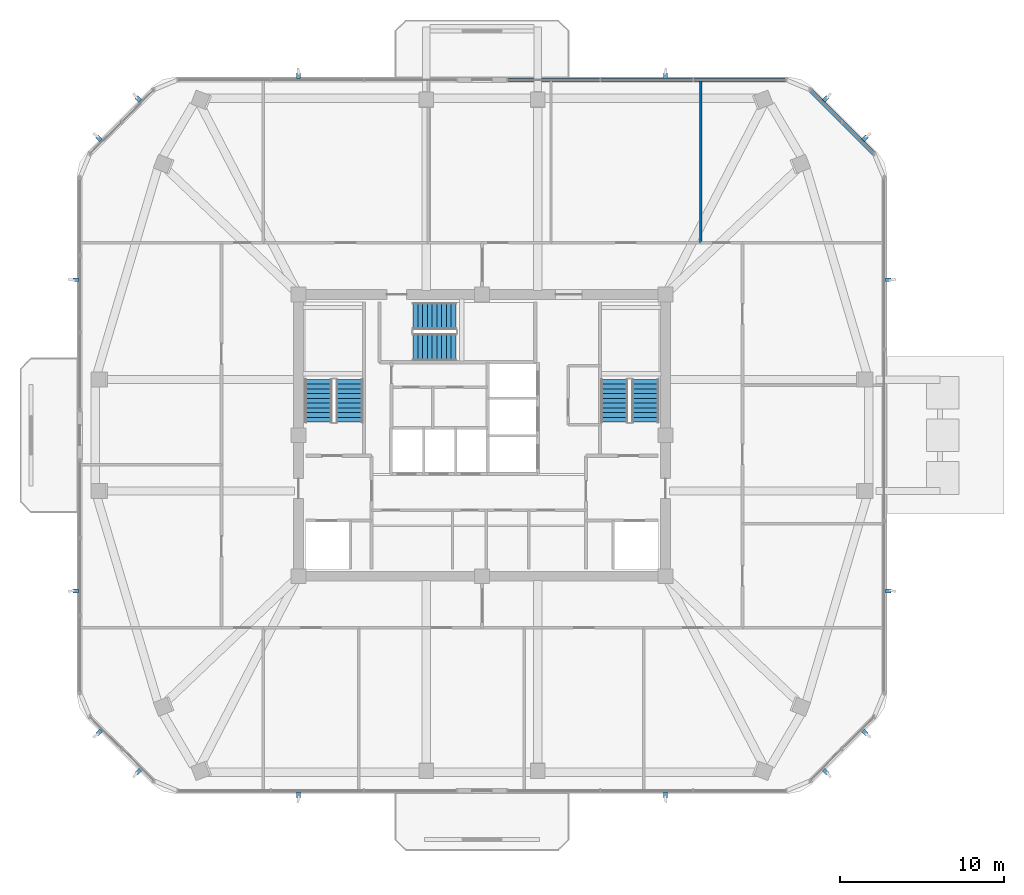
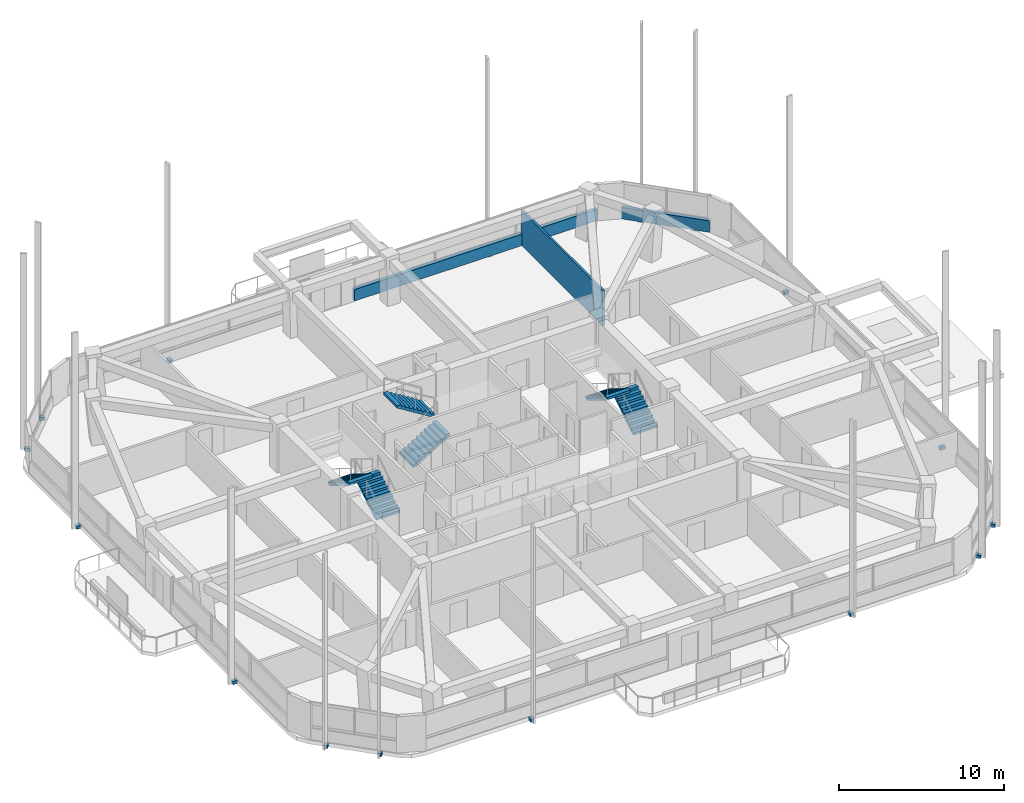
# One storey, part 10 of 14: 16 discrete accessories, 6 stair flights, 3 walls, 3 elements without a shape of their own.
"""IFC4 building model written with IfcOpenShell, lengths in metres."""

import ifcopenshell
import ifcopenshell.guid

model = None  # the IFC model being written
_history = None  # IfcOwnerHistory: only IFC2X3 demands one
_inside = {}  # id of a spatial element -> (the spatial element, [elements in it])
_under = {}  # id of a project, library or spatial element -> (it, [spatial elements below it])
_declared = {}  # id of a project -> (the project, [libraries it declares])
_typed = {}  # id of a type object -> (the type object, [elements of that type])
_made_of = {}  # id of a material, layer set ... -> (it, [elements and type objects made of it])


def new_model(schema):
    """Start an empty IFC model of exactly this schema.

    Asked for "IFC4X3", IfcOpenShell would pick the latest addendum, in which some entities
    have other attributes; the version numbers below select the first issue.
    IFC2X3 requires an IfcOwnerHistory on every rooted entity: one is made here for all.
    """
    global model, _history
    if schema == "IFC4X3":
        model = ifcopenshell.file(schema_version=(4, 3, 0, 0))
    else:
        model = ifcopenshell.file(schema=schema)
    _inside.clear()
    _under.clear()
    _declared.clear()
    _typed.clear()
    _made_of.clear()
    _history = None
    if model.schema == "IFC2X3":
        org = make("IfcOrganization", Name="unknown")
        user = make(
            "IfcPersonAndOrganization",
            ThePerson=make("IfcPerson", FamilyName="unknown"),
            TheOrganization=org,
        )
        app = make(
            "IfcApplication",
            ApplicationDeveloper=org,
            Version="unknown",
            ApplicationFullName="unknown",
            ApplicationIdentifier="unknown",
        )
        _history = make(
            "IfcOwnerHistory",
            OwningUser=user,
            OwningApplication=app,
            ChangeAction="ADDED",
            CreationDate=0,
        )
    return model


def make(cls, **values):
    """One entity of the class cls with the attributes given. An attribute that is None is left unset."""
    return model.create_entity(
        cls, **{name: value for name, value in values.items() if value is not None}
    )


def rooted(cls, **values):
    """An entity with a GlobalId (a new one), such as an element, a storey or a relation."""
    return make(cls, GlobalId=ifcopenshell.guid.new(), OwnerHistory=_history, **values)


def si_unit(unit_type, name, prefix=None):
    """IfcSIUnit, for example si_unit("LENGTHUNIT", "METRE", prefix="MILLI")."""
    return make("IfcSIUnit", UnitType=unit_type, Prefix=prefix, Name=name)


def derived_unit(unit_type, elements):
    """IfcDerivedUnit: a product of units, each with its exponent."""
    return make(
        "IfcDerivedUnit",
        Elements=[
            make("IfcDerivedUnitElement", Unit=unit, Exponent=power)
            for unit, power in elements
        ],
        UnitType=unit_type,
    )


def assignment(units):
    """IfcUnitAssignment: the units of a project."""
    return None if units is None else make("IfcUnitAssignment", Units=units)


def point(xyz):
    """IfcCartesianPoint."""
    return None if xyz is None else make("IfcCartesianPoint", Coordinates=xyz)


def direction(xyz):
    """IfcDirection."""
    return None if xyz is None else make("IfcDirection", DirectionRatios=xyz)


def frame(location, z_axis=None, x_axis=None):
    """IfcAxis2Placement3D, a coordinate frame: its origin and axes. An axis left out is left unset."""
    return make(
        "IfcAxis2Placement3D",
        Location=point(location),
        Axis=direction(z_axis),
        RefDirection=direction(x_axis),
    )


def frame_2d(location, x_axis=None):
    """IfcAxis2Placement2D, a coordinate frame in the plane: its origin and x axis."""
    return make(
        "IfcAxis2Placement2D", Location=point(location), RefDirection=direction(x_axis)
    )


def origin():
    """The frame at (0, 0, 0) with its axes left unset."""
    return frame((0.0, 0.0, 0.0))


def origin_2d():
    """The frame at (0, 0) in the plane with its x axis left unset."""
    return frame_2d((0.0, 0.0))


def place(relative_to, where):
    """IfcLocalPlacement: puts the frame where relative to a parent placement (None: the world)."""
    return make(
        "IfcLocalPlacement", PlacementRelTo=relative_to, RelativePlacement=where
    )


def context(
    kind, dimensions, precision=None, world=None, true_north=None, identifier=None
):
    """IfcGeometricRepresentationContext, for example the 3D "Model" context."""
    return make(
        "IfcGeometricRepresentationContext",
        ContextIdentifier=identifier,
        ContextType=kind,
        CoordinateSpaceDimension=dimensions,
        Precision=precision,
        WorldCoordinateSystem=world,
        TrueNorth=true_north,
    )


def subcontext(parent, identifier, kind, view, scale=None):
    """IfcGeometricRepresentationSubContext, for example "Body" below "Model"."""
    return make(
        "IfcGeometricRepresentationSubContext",
        ContextIdentifier=identifier,
        ContextType=kind,
        ParentContext=parent,
        TargetScale=scale,
        TargetView=view,
    )


def project(units=None, contexts=None):
    """IfcProject with its units and contexts."""
    return rooted(
        "IfcProject",
        Name="project",
        RepresentationContexts=contexts,
        UnitsInContext=assignment(units),
    )


def spatial(cls, under=None, at=None, **own):
    """A site, building, storey or space (cls), placed at a placement, below another one or the project."""
    s = rooted(cls, ObjectPlacement=at, **own)
    if under is not None:
        _under.setdefault(under.id(), (under, []))[1].append(s)
    return s


def polyline(points):
    """IfcPolyline through the points."""
    return make("IfcPolyline", Points=[point(p) for p in points])


def profile(cls, at=None, kind="AREA", **sizes):
    """A parametric profile (cls). Its sizes go by their IFC names, for example OverallWidth=200.0."""
    return make(cls, ProfileType=kind, Position=at, **sizes)


def rectangle(**sizes):
    """IfcRectangleProfileDef."""
    return profile("IfcRectangleProfileDef", **sizes)


def outline(outer, holes=None, kind="AREA"):
    """IfcArbitraryClosedProfileDef: a profile drawn as a closed curve; with holes, ...WithVoids."""
    if holes is None:
        return make("IfcArbitraryClosedProfileDef", ProfileType=kind, OuterCurve=outer)
    return make(
        "IfcArbitraryProfileDefWithVoids",
        ProfileType=kind,
        OuterCurve=outer,
        InnerCurves=holes,
    )


def extrude(swept, where, along, depth):
    """IfcExtrudedAreaSolid: the profile swept, set in the frame where, extruded along a direction by depth."""
    return make(
        "IfcExtrudedAreaSolid",
        SweptArea=swept,
        Position=where,
        ExtrudedDirection=direction(along),
        Depth=depth,
    )


def shape(context_of_items, identifier, shape_type, items):
    """IfcShapeRepresentation: the items that make up one representation, for example the "Body"."""
    return make(
        "IfcShapeRepresentation",
        ContextOfItems=context_of_items,
        RepresentationIdentifier=identifier,
        RepresentationType=shape_type,
        Items=items,
    )


def material(Name=None, Category=None):
    """IfcMaterial."""
    return make("IfcMaterial", Name=Name, Category=Category)


def layer(
    of_material, thickness, ventilated=None, Name=None, Category=None, Priority=None
):
    """IfcMaterialLayer: one layer of a wall or slab, of a material (None: an air gap)."""
    return make(
        "IfcMaterialLayer",
        Material=of_material,
        LayerThickness=thickness,
        IsVentilated=ventilated,
        Name=Name,
        Category=Category,
        Priority=Priority,
    )


def layer_set(layers, Name=None):
    """IfcMaterialLayerSet."""
    return make("IfcMaterialLayerSet", MaterialLayers=layers, LayerSetName=Name)


def made_of(thing, what):
    """Note that an element or type object is made of a material, layer set ...; save() writes the relation."""
    if what is not None:
        _made_of.setdefault(what.id(), (what, []))[1].append(thing)
    return thing


def type_object(cls, material=None, **own):
    """A type object (cls), such as IfcWallType, which elements share."""
    return made_of(rooted(cls, **own), material)


def element(
    cls,
    number,
    at=None,
    inside=None,
    cuts=None,
    type_object=None,
    material=None,
    context=None,
    identifier="Body",
    shape_type=None,
    held_by="IfcProductDefinitionShape",
    body=None,
    shapes=None,
    **own,
):
    """One element of the class cls, such as IfcWall. Its Tag is "e" and its number.

    at: its placement. inside: the storey or other place that contains it. cuts: it is an
    opening in that element (IfcRelVoidsElement). A single representation is given by context,
    identifier, shape_type and body (its items); several are given by shapes. held_by: the class
    of the entity that holds the representations. save() writes the other relations.
    """
    e = rooted(cls, Tag="e%d" % number, ObjectPlacement=at, **own)
    if body is not None:
        shapes = [shape(context, identifier, shape_type, body)]
    if shapes is not None:
        e.Representation = make(held_by, Representations=shapes)
    if inside is not None:
        _inside.setdefault(inside.id(), (inside, []))[1].append(e)
    if cuts is not None:
        rooted(
            "IfcRelVoidsElement", RelatingBuildingElement=cuts, RelatedOpeningElement=e
        )
    if type_object is not None:
        _typed.setdefault(type_object.id(), (type_object, []))[1].append(e)
    return made_of(e, material)


def aggregate(whole, parts):
    """IfcRelAggregates: a whole, such as a stair, and the parts it consists of."""
    return rooted("IfcRelAggregates", RelatingObject=whole, RelatedObjects=parts)


def save(model, path):
    """Write the relations noted so far, then the file.

    IfcRelAggregates (storeys below a building ...), IfcRelContainedInSpatialStructure (elements
    in a storey), IfcRelDefinesByType, IfcRelAssociatesMaterial and IfcRelDeclares: one each for
    every whole, place, type object, material and project.
    """
    for whole, parts in _under.values():
        aggregate(whole, parts)
    for where, things in _inside.values():
        rooted(
            "IfcRelContainedInSpatialStructure",
            RelatedElements=things,
            RelatingStructure=where,
        )
    for kind, things in _typed.values():
        rooted("IfcRelDefinesByType", RelatedObjects=things, RelatingType=kind)
    for what, things in _made_of.values():
        rooted("IfcRelAssociatesMaterial", RelatedObjects=things, RelatingMaterial=what)
    for by, libraries in _declared.values():
        rooted("IfcRelDeclares", RelatingContext=by, RelatedDefinitions=libraries)
    model.write(path)


model = new_model("IFC4")

# Units and contexts
model_context = context("Model", 3, precision=1e-05, world=origin(), true_north=direction((0.0, 1.0)))
body_context = subcontext(model_context, "Body", "Model", "MODEL_VIEW")
ifc_project = project(units=[si_unit("LENGTHUNIT", "METRE"), si_unit("AREAUNIT", "SQUARE_METRE"), si_unit("VOLUMEUNIT", "CUBIC_METRE"), si_unit("PLANEANGLEUNIT", "RADIAN"), si_unit("MASSUNIT", "GRAM", prefix="KILO"), derived_unit("THERMALTRANSMITTANCEUNIT", [(si_unit("POWERUNIT", "WATT"), 1), (si_unit("LENGTHUNIT", "METRE"), -2), (si_unit("THERMODYNAMICTEMPERATUREUNIT", "KELVIN"), -1)])], contexts=[model_context])

# Site, building, storey
site_placement = place(None, origin())
site = spatial("IfcSite", under=ifc_project, at=site_placement, CompositionType="ELEMENT")
building_placement = place(site_placement, origin())
building = spatial("IfcBuilding", under=site, at=building_placement, Name="Koralith Skygarden Medical Center", CompositionType="ELEMENT")
storey_placement = place(building_placement, frame((0.0, 0.0, 192.780029296875)))
storey = spatial("IfcBuildingStorey", under=building, at=storey_placement, Name="L49", CompositionType="ELEMENT", Elevation=192.780029296875)

# Walls
ifc_material_1 = material(Name="Gypsum Board Partition")
ifc_layer_1 = layer(ifc_material_1, 0.14990234375)
ifc_layer_set_1 = layer_set([ifc_layer_1], Name="Gypsum Board Partition")
wall_type_1 = type_object("IfcWallType", Name="Clinical Acoustic Partition 150", PredefinedType="PARTITIONING", material=ifc_layer_set_1)
wall_1_placement = place(storey_placement, frame((50.35009765625, 37.64990234375, 0.0), z_axis=(0.0, 0.0, 1.0), x_axis=(0.0, 1.0, 0.0)))
element("IfcWall", 1, at=wall_1_placement, inside=storey, type_object=wall_type_1, Name="L49 Clinical Acoustic Partition 150 W-PART-L49-N-04", PredefinedType="PARTITIONING", context=body_context, shape_type="SweptSolid", body=[
    extrude(rectangle(XDim=9.925048828125, YDim=0.14990234375, at=frame_2d((4.96240234375, 0.0))), origin(), (0.0, 0.0, 1.0), 2.60986328125),
])
ifc_material_2 = material(Name="Warm Oolitic Limestone Cladding", Category="masonry")
ifc_layer_2 = layer(ifc_material_2, 0.239990234375)
ifc_layer_set_2 = layer_set([ifc_layer_2], Name="Warm Oolitic Limestone Cladding")
wall_type_2 = type_object("IfcWallType", Name="Limestone Spandrel Sill Backup Wall 240", PredefinedType="SOLIDWALL", material=ifc_layer_set_2)
wall_2_placement = place(storey_placement, frame((60.94189453125, 43.070068359375, 0.0), z_axis=(0.0, 0.0, 1.0), x_axis=(-0.707106781187, 0.707106781187, 0.0)))
element("IfcWall", 2, at=wall_2_placement, inside=storey, type_object=wall_type_2, Name="L49 Sill Spandrel NE", PredefinedType="SOLIDWALL", context=body_context, shape_type="SweptSolid", body=[
    extrude(rectangle(XDim=5.5478515625, YDim=0.239990234375, at=frame_2d((2.77392578125, 0.0))), origin(), (0.0, 0.0, 1.0), 0.849853515625),
])
wall_3_placement = place(storey_placement, frame((55.568115234375, 47.593994140625, 0.0), z_axis=(0.0, 0.0, 1.0), x_axis=(-1.0, 0.0, 0.0)))
element("IfcWall", 3, at=wall_3_placement, inside=storey, type_object=wall_type_2, Name="L49 Sill Spandrel N-L", PredefinedType="SOLIDWALL", context=body_context, shape_type="SweptSolid", body=[
    extrude(rectangle(XDim=17.028076171875, YDim=0.239990234375, at=frame_2d((8.51416015625, 0.0))), origin(), (0.0, 0.0, 1.0), 0.849853515625),
])

# Stair, stair flights
ifc_material_3 = material(Name="Concrete C45/55", Category="concrete")
stair_type = type_object("IfcStairType", Name="Core Exit Dogleg Concrete Stair", PredefinedType="HALF_TURN_STAIR", material=ifc_material_3)
stair_1_placement = place(storey_placement, origin())
stair_1 = element("IfcStair", 4, at=stair_1_placement, inside=storey, type_object=stair_type, Name="L49 Smokeproof Exit Stair ST1", PredefinedType="HALF_TURN_STAIR")
stair_flight_type = type_object("IfcStairFlightType", Name="Core Exit Concrete Stair Flight 1650", PredefinedType="STRAIGHT", material=ifc_material_3)
stair_flight_1_placement = place(storey_placement, frame((28.925048828125, 26.699951171875, 0.0), z_axis=(0.0, 0.0, 1.0), x_axis=(0.0, 1.0, 0.0)))
stair_flight_1 = element("IfcStairFlight", 5, at=stair_flight_1_placement, type_object=stair_flight_type, Name="ST1 flight 1", NumberOfRisers=10, NumberOfTreads=9, PredefinedType="STRAIGHT", RiserHeight=0.18, TreadLength=0.29, context=body_context, shape_type="SweptSolid", body=[
    extrude(outline(polyline([(0.0, 0.0), (0.0, 0.179931640625), (0.2900390625, 0.179931640625), (0.2900390625, 0.360107421875), (0.580078125, 0.360107421875), (0.580078125, 0.5400390625), (0.8701171875, 0.5400390625), (0.8701171875, 0.719970703125), (1.159912109375, 0.719970703125), (1.159912109375, 0.89990234375), (1.449951171875, 0.89990234375), (1.449951171875, 1.080078125), (1.739990234375, 1.080078125), (1.739990234375, 1.260009765625), (2.030029296875, 1.260009765625), (2.030029296875, 1.43994140625), (2.320068359375, 1.43994140625), (2.320068359375, 1.6201171875), (2.610107421875, 1.6201171875), (2.610107421875, 1.800048828125), (2.610107421875, 1.443603515625), (0.2841796875, 0.0), (0.0, 0.0)])), frame((0.0, 0.824951171875, 0.0), z_axis=(0.0, -1.0, 0.0), x_axis=(1.0, 0.0, 0.0)), (0.0, 0.0, 1.0), 1.64990234375),
])
stair_flight_2_placement = place(storey_placement, frame((27.02490234375, 29.31005859375, 1.800048828125), z_axis=(0.0, 0.0, 1.0), x_axis=(0.0, -1.0, 0.0)))
stair_flight_2 = element("IfcStairFlight", 6, at=stair_flight_2_placement, type_object=stair_flight_type, Name="ST1 flight 2", NumberOfRisers=10, NumberOfTreads=9, PredefinedType="STRAIGHT", RiserHeight=0.18, TreadLength=0.29, context=body_context, shape_type="SweptSolid", body=[
    extrude(outline(polyline([(0.0, 0.0), (0.0, 0.179931640625), (0.2900390625, 0.179931640625), (0.2900390625, 0.360107421875), (0.580078125, 0.360107421875), (0.580078125, 0.5400390625), (0.8701171875, 0.5400390625), (0.8701171875, 0.719970703125), (1.159912109375, 0.719970703125), (1.159912109375, 0.89990234375), (1.449951171875, 0.89990234375), (1.449951171875, 1.080078125), (1.739990234375, 1.080078125), (1.739990234375, 1.260009765625), (2.030029296875, 1.260009765625), (2.030029296875, 1.43994140625), (2.320068359375, 1.43994140625), (2.320068359375, 1.6201171875), (2.610107421875, 1.6201171875), (2.610107421875, 1.800048828125), (2.610107421875, 1.443603515625), (0.2841796875, 0.0), (0.0, 0.0)])), frame((0.0, 0.824951171875, 0.0), z_axis=(0.0, -1.0, 0.0), x_axis=(1.0, 0.0, 0.0)), (0.0, 0.0, 1.0), 1.64990234375),
])
aggregate(stair_1, [stair_flight_1, stair_flight_2])

stair_2_placement = place(storey_placement, origin())
stair_2 = element("IfcStair", 7, at=stair_2_placement, inside=storey, type_object=stair_type, Name="L49 Smokeproof Exit Stair ST2", PredefinedType="HALF_TURN_STAIR")
stair_flight_3_placement = place(storey_placement, frame((46.97509765625, 26.699951171875, 0.0), z_axis=(0.0, 0.0, 1.0), x_axis=(0.0, 1.0, 0.0)))
stair_flight_3 = element("IfcStairFlight", 8, at=stair_flight_3_placement, type_object=stair_flight_type, Name="ST2 flight 1", NumberOfRisers=10, NumberOfTreads=9, PredefinedType="STRAIGHT", RiserHeight=0.18, TreadLength=0.29, context=body_context, shape_type="SweptSolid", body=[
    extrude(outline(polyline([(0.0, 0.0), (0.0, 0.179931640625), (0.2900390625, 0.179931640625), (0.2900390625, 0.360107421875), (0.580078125, 0.360107421875), (0.580078125, 0.5400390625), (0.8701171875, 0.5400390625), (0.8701171875, 0.719970703125), (1.159912109375, 0.719970703125), (1.159912109375, 0.89990234375), (1.449951171875, 0.89990234375), (1.449951171875, 1.080078125), (1.739990234375, 1.080078125), (1.739990234375, 1.260009765625), (2.030029296875, 1.260009765625), (2.030029296875, 1.43994140625), (2.320068359375, 1.43994140625), (2.320068359375, 1.6201171875), (2.610107421875, 1.6201171875), (2.610107421875, 1.800048828125), (2.610107421875, 1.443603515625), (0.2841796875, 0.0), (0.0, 0.0)])), frame((0.0, 0.824951171875, 0.0), z_axis=(0.0, -1.0, 0.0), x_axis=(1.0, 0.0, 0.0)), (0.0, 0.0, 1.0), 1.64990234375),
])
stair_flight_4_placement = place(storey_placement, frame((45.074951171875, 29.31005859375, 1.800048828125), z_axis=(0.0, 0.0, 1.0), x_axis=(0.0, -1.0, 0.0)))
stair_flight_4 = element("IfcStairFlight", 9, at=stair_flight_4_placement, type_object=stair_flight_type, Name="ST2 flight 2", NumberOfRisers=10, NumberOfTreads=9, PredefinedType="STRAIGHT", RiserHeight=0.18, TreadLength=0.29, context=body_context, shape_type="SweptSolid", body=[
    extrude(outline(polyline([(0.0, 0.0), (0.0, 0.179931640625), (0.2900390625, 0.179931640625), (0.2900390625, 0.360107421875), (0.580078125, 0.360107421875), (0.580078125, 0.5400390625), (0.8701171875, 0.5400390625), (0.8701171875, 0.719970703125), (1.159912109375, 0.719970703125), (1.159912109375, 0.89990234375), (1.449951171875, 0.89990234375), (1.449951171875, 1.080078125), (1.739990234375, 1.080078125), (1.739990234375, 1.260009765625), (2.030029296875, 1.260009765625), (2.030029296875, 1.43994140625), (2.320068359375, 1.43994140625), (2.320068359375, 1.6201171875), (2.610107421875, 1.6201171875), (2.610107421875, 1.800048828125), (2.610107421875, 1.443603515625), (0.2841796875, 0.0), (0.0, 0.0)])), frame((0.0, 0.824951171875, 0.0), z_axis=(0.0, -1.0, 0.0), x_axis=(1.0, 0.0, 0.0)), (0.0, 0.0, 1.0), 1.64990234375),
])
aggregate(stair_2, [stair_flight_3, stair_flight_4])

stair_3_placement = place(storey_placement, origin())
stair_3 = element("IfcStair", 10, at=stair_3_placement, inside=storey, type_object=stair_type, Name="L49 Smokeproof Exit Stair ST3", PredefinedType="HALF_TURN_STAIR")
stair_flight_5_placement = place(storey_placement, frame((32.800048828125, 31.27490234375, 0.0), z_axis=(0.0, 0.0, 1.0), x_axis=(1.0, 0.0, 0.0)))
stair_flight_5 = element("IfcStairFlight", 11, at=stair_flight_5_placement, type_object=stair_flight_type, Name="ST3 flight 1", NumberOfRisers=10, NumberOfTreads=9, PredefinedType="STRAIGHT", RiserHeight=0.18, TreadLength=0.29, context=body_context, shape_type="SweptSolid", body=[
    extrude(outline(polyline([(0.0, 0.0), (0.0, 0.179931640625), (0.2900390625, 0.179931640625), (0.2900390625, 0.360107421875), (0.580078125, 0.360107421875), (0.580078125, 0.5400390625), (0.8701171875, 0.5400390625), (0.8701171875, 0.719970703125), (1.159912109375, 0.719970703125), (1.159912109375, 0.89990234375), (1.449951171875, 0.89990234375), (1.449951171875, 1.080078125), (1.739990234375, 1.080078125), (1.739990234375, 1.260009765625), (2.030029296875, 1.260009765625), (2.030029296875, 1.43994140625), (2.320068359375, 1.43994140625), (2.320068359375, 1.6201171875), (2.610107421875, 1.6201171875), (2.610107421875, 1.800048828125), (2.610107421875, 1.443603515625), (0.2841796875, 0.0), (0.0, 0.0)])), frame((0.0, 0.824951171875, 0.0), z_axis=(0.0, -1.0, 0.0), x_axis=(1.0, 0.0, 0.0)), (0.0, 0.0, 1.0), 1.64990234375),
])
stair_flight_6_placement = place(storey_placement, frame((35.409912109375, 33.175048828125, 1.800048828125), z_axis=(0.0, 0.0, 1.0), x_axis=(-1.0, 0.0, 0.0)))
stair_flight_6 = element("IfcStairFlight", 12, at=stair_flight_6_placement, type_object=stair_flight_type, Name="ST3 flight 2", NumberOfRisers=10, NumberOfTreads=9, PredefinedType="STRAIGHT", RiserHeight=0.18, TreadLength=0.29, context=body_context, shape_type="SweptSolid", body=[
    extrude(outline(polyline([(0.0, 0.0), (0.0, 0.179931640625), (0.2900390625, 0.179931640625), (0.2900390625, 0.360107421875), (0.580078125, 0.360107421875), (0.580078125, 0.5400390625), (0.8701171875, 0.5400390625), (0.8701171875, 0.719970703125), (1.159912109375, 0.719970703125), (1.159912109375, 0.89990234375), (1.449951171875, 0.89990234375), (1.449951171875, 1.080078125), (1.739990234375, 1.080078125), (1.739990234375, 1.260009765625), (2.030029296875, 1.260009765625), (2.030029296875, 1.43994140625), (2.320068359375, 1.43994140625), (2.320068359375, 1.6201171875), (2.610107421875, 1.6201171875), (2.610107421875, 1.800048828125), (2.610107421875, 1.443603515625), (0.2841796875, 0.0), (0.0, 0.0)])), frame((0.0, 0.824951171875, 0.0), z_axis=(0.0, -1.0, 0.0), x_axis=(1.0, 0.0, 0.0)), (0.0, 0.0, 1.0), 1.64990234375),
])
aggregate(stair_3, [stair_flight_5, stair_flight_6])

# Discrete accessories
ifc_material_4 = material(Name="Steel ASTM A572 Grade 50", Category="steel")
discrete_accessory_type = type_object("IfcDiscreteAccessoryType", Name="Facade Fin Structural Anchor Bracket", PredefinedType="BRACKET", material=ifc_material_4)
for number, where, z_axis, x_axis, name in (
    (13, (25.794921875, 3.945068359375, -0.26025390625), (0.0, 0.0, 1.0), (0.0, -1.0, 0.0), "L49 S Solar Fin Anchor Bracket 1"),
    (14, (48.2041015625, 3.945068359375, -0.26025390625), (0.0, 0.0, 1.0), (0.0, -1.0, 0.0), "L49 S Solar Fin Anchor Bracket 2"),
    (15, (57.98193359375, 5.3701171875, -0.26025390625), (0.0, 0.0, 1.0), (0.707106781187, -0.707106781187, 0.0), "L49 SE Solar Fin Anchor Bracket 1"),
    (16, (60.3798828125, 7.76806640625, -0.26025390625), (0.0, 0.0, 1.0), (0.707106781187, -0.707106781187, 0.0), "L49 SE Solar Fin Anchor Bracket 2"),
    (17, (61.803955078125, 16.405029296875, -0.26025390625), (0.0, 0.0, 1.0), (1.0, 0.0, 0.0), "L49 E Solar Fin Anchor Bracket 1"),
    (18, (61.803955078125, 35.39404296875, -0.26025390625), (0.0, 0.0, 1.0), (1.0, 0.0, 0.0), "L49 E Solar Fin Anchor Bracket 2"),
    (19, (60.37890625, 44.032958984375, -0.26025390625), (0.0, 0.0, 1.0), (0.707106781187, 0.707106781187, 0.0), "L49 NE Solar Fin Anchor Bracket 1"),
    (20, (57.98095703125, 46.430908203125, -0.26025390625), (0.0, 0.0, 1.0), (0.707106781187, 0.707106781187, 0.0), "L49 NE Solar Fin Anchor Bracket 2"),
    (21, (48.2041015625, 47.85498046875, -0.26025390625), (0.0, 0.0, 1.0), (0.0, 1.0, 0.0), "L49 N Solar Fin Anchor Bracket 1"),
    (22, (25.794921875, 47.85498046875, -0.26025390625), (0.0, 0.0, 1.0), (0.0, 1.0, 0.0), "L49 N Solar Fin Anchor Bracket 2"),
    (23, (16.01806640625, 46.429931640625, -0.26025390625), (0.0, 0.0, 1.0), (-0.707106781187, 0.707106781187, 0.0), "L49 NW Solar Fin Anchor Bracket 1"),
    (24, (13.6201171875, 44.031982421875, -0.26025390625), (0.0, 0.0, 1.0), (-0.707106781187, 0.707106781187, 0.0), "L49 NW Solar Fin Anchor Bracket 2"),
    (25, (12.196044921875, 35.39404296875, -0.26025390625), (0.0, 0.0, 1.0), (-1.0, 0.0, 0.0), "L49 W Solar Fin Anchor Bracket 1"),
    (26, (12.196044921875, 16.405029296875, -0.26025390625), (0.0, 0.0, 1.0), (-1.0, 0.0, 0.0), "L49 W Solar Fin Anchor Bracket 2"),
    (27, (13.62109375, 7.76708984375, -0.26025390625), (0.0, 0.0, 1.0), (-0.707106781187, -0.707106781187, 0.0), "L49 SW Solar Fin Anchor Bracket 1"),
    (28, (16.01904296875, 5.368896484375, -0.26025390625), (0.0, 0.0, 1.0), (-0.707106781187, -0.707106781187, 0.0), "L49 SW Solar Fin Anchor Bracket 2"),
):
    element("IfcDiscreteAccessory", number, at=place(storey_placement, frame(where, z_axis=z_axis, x_axis=x_axis)), inside=storey, type_object=discrete_accessory_type, Name=name, PredefinedType="BRACKET", context=body_context, shape_type="SweptSolid", body=[
        extrude(rectangle(XDim=0.340087890625, YDim=0.239990234375, at=origin_2d()), origin(), (0.0, 0.0, 1.0), 0.239990234375),
    ])

save(model, "model.ifc")
